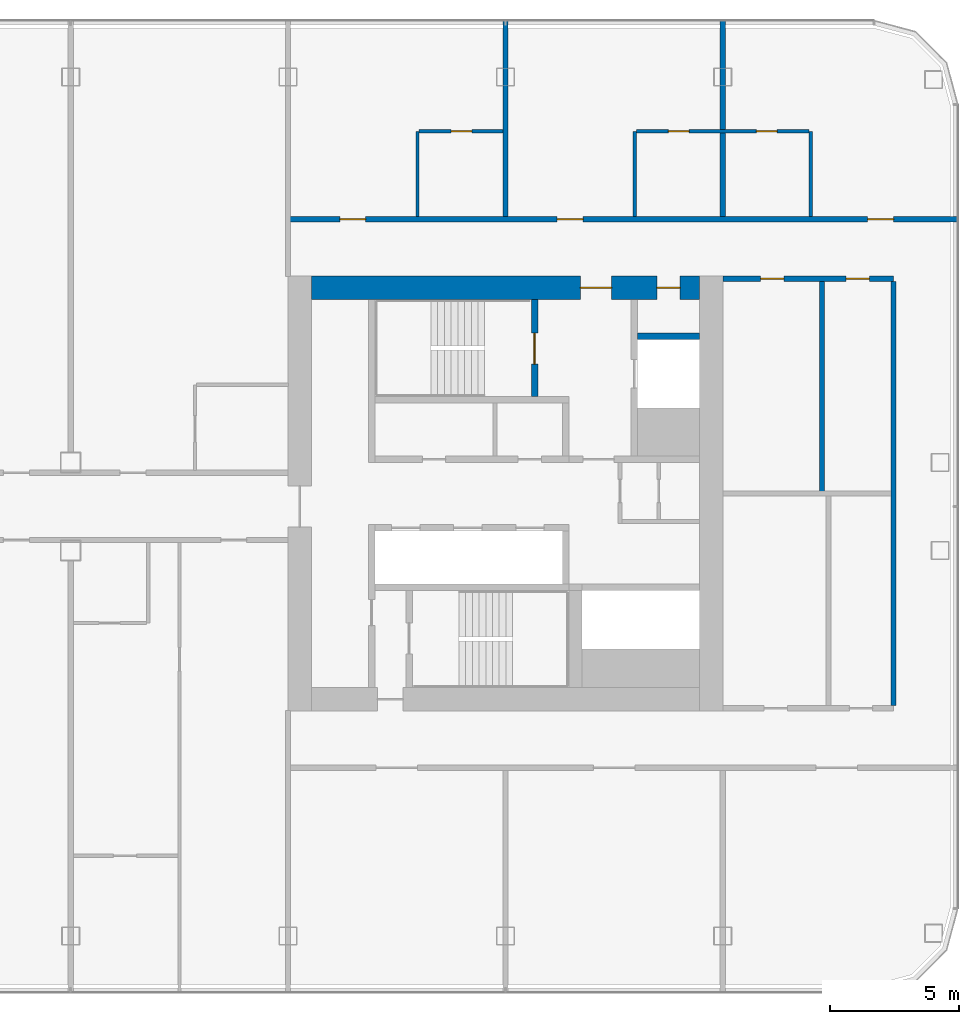
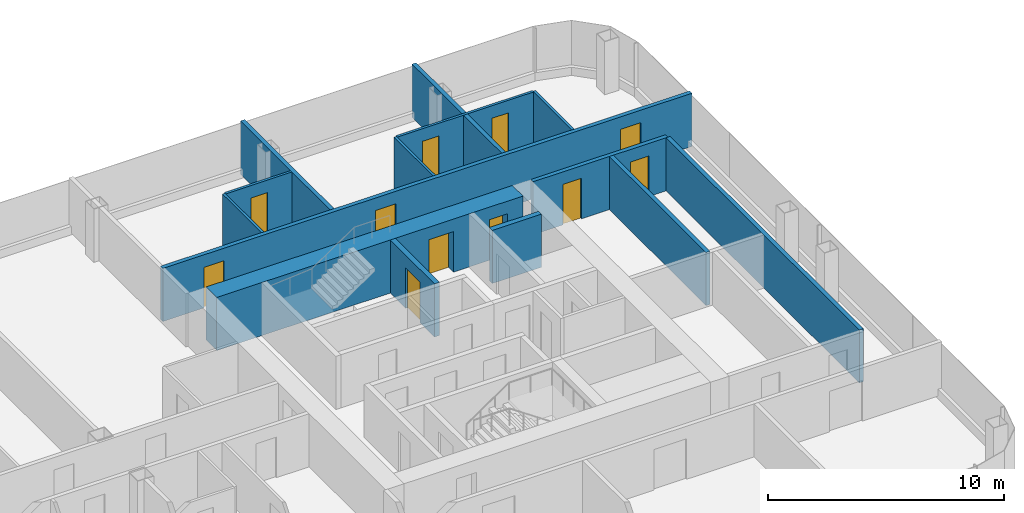
# One storey, part 17 of 26: 14 walls, 11 doors, 11 openings.
"""IFC4 building model written with IfcOpenShell, lengths in metres."""

import ifcopenshell
import ifcopenshell.guid

model = None  # the IFC model being written
_history = None  # IfcOwnerHistory: only IFC2X3 demands one
_inside = {}  # id of a spatial element -> (the spatial element, [elements in it])
_under = {}  # id of a project, library or spatial element -> (it, [spatial elements below it])
_declared = {}  # id of a project -> (the project, [libraries it declares])
_typed = {}  # id of a type object -> (the type object, [elements of that type])
_made_of = {}  # id of a material, layer set ... -> (it, [elements and type objects made of it])


def new_model(schema):
    """Start an empty IFC model of exactly this schema.

    Asked for "IFC4X3", IfcOpenShell would pick the latest addendum, in which some entities
    have other attributes; the version numbers below select the first issue.
    IFC2X3 requires an IfcOwnerHistory on every rooted entity: one is made here for all.
    """
    global model, _history
    if schema == "IFC4X3":
        model = ifcopenshell.file(schema_version=(4, 3, 0, 0))
    else:
        model = ifcopenshell.file(schema=schema)
    _inside.clear()
    _under.clear()
    _declared.clear()
    _typed.clear()
    _made_of.clear()
    _history = None
    if model.schema == "IFC2X3":
        org = make("IfcOrganization", Name="unknown")
        user = make(
            "IfcPersonAndOrganization",
            ThePerson=make("IfcPerson", FamilyName="unknown"),
            TheOrganization=org,
        )
        app = make(
            "IfcApplication",
            ApplicationDeveloper=org,
            Version="unknown",
            ApplicationFullName="unknown",
            ApplicationIdentifier="unknown",
        )
        _history = make(
            "IfcOwnerHistory",
            OwningUser=user,
            OwningApplication=app,
            ChangeAction="ADDED",
            CreationDate=0,
        )
    return model


def make(cls, **values):
    """One entity of the class cls with the attributes given. An attribute that is None is left unset."""
    return model.create_entity(
        cls, **{name: value for name, value in values.items() if value is not None}
    )


def rooted(cls, **values):
    """An entity with a GlobalId (a new one), such as an element, a storey or a relation."""
    return make(cls, GlobalId=ifcopenshell.guid.new(), OwnerHistory=_history, **values)


def si_unit(unit_type, name, prefix=None):
    """IfcSIUnit, for example si_unit("LENGTHUNIT", "METRE", prefix="MILLI")."""
    return make("IfcSIUnit", UnitType=unit_type, Prefix=prefix, Name=name)


def assignment(units):
    """IfcUnitAssignment: the units of a project."""
    return None if units is None else make("IfcUnitAssignment", Units=units)


def point(xyz):
    """IfcCartesianPoint."""
    return None if xyz is None else make("IfcCartesianPoint", Coordinates=xyz)


def direction(xyz):
    """IfcDirection."""
    return None if xyz is None else make("IfcDirection", DirectionRatios=xyz)


def frame(location, z_axis=None, x_axis=None):
    """IfcAxis2Placement3D, a coordinate frame: its origin and axes. An axis left out is left unset."""
    return make(
        "IfcAxis2Placement3D",
        Location=point(location),
        Axis=direction(z_axis),
        RefDirection=direction(x_axis),
    )


def frame_2d(location, x_axis=None):
    """IfcAxis2Placement2D, a coordinate frame in the plane: its origin and x axis."""
    return make(
        "IfcAxis2Placement2D", Location=point(location), RefDirection=direction(x_axis)
    )


def origin():
    """The frame at (0, 0, 0) with its axes left unset."""
    return frame((0.0, 0.0, 0.0))


def place(relative_to, where):
    """IfcLocalPlacement: puts the frame where relative to a parent placement (None: the world)."""
    return make(
        "IfcLocalPlacement", PlacementRelTo=relative_to, RelativePlacement=where
    )


def context(
    kind, dimensions, precision=None, world=None, true_north=None, identifier=None
):
    """IfcGeometricRepresentationContext, for example the 3D "Model" context."""
    return make(
        "IfcGeometricRepresentationContext",
        ContextIdentifier=identifier,
        ContextType=kind,
        CoordinateSpaceDimension=dimensions,
        Precision=precision,
        WorldCoordinateSystem=world,
        TrueNorth=true_north,
    )


def subcontext(parent, identifier, kind, view, scale=None):
    """IfcGeometricRepresentationSubContext, for example "Body" below "Model"."""
    return make(
        "IfcGeometricRepresentationSubContext",
        ContextIdentifier=identifier,
        ContextType=kind,
        ParentContext=parent,
        TargetScale=scale,
        TargetView=view,
    )


def project(units=None, contexts=None):
    """IfcProject with its units and contexts."""
    return rooted(
        "IfcProject",
        Name="project",
        RepresentationContexts=contexts,
        UnitsInContext=assignment(units),
    )


def spatial(cls, under=None, at=None, **own):
    """A site, building, storey or space (cls), placed at a placement, below another one or the project."""
    s = rooted(cls, ObjectPlacement=at, **own)
    if under is not None:
        _under.setdefault(under.id(), (under, []))[1].append(s)
    return s


def profile(cls, at=None, kind="AREA", **sizes):
    """A parametric profile (cls). Its sizes go by their IFC names, for example OverallWidth=200.0."""
    return make(cls, ProfileType=kind, Position=at, **sizes)


def rectangle(**sizes):
    """IfcRectangleProfileDef."""
    return profile("IfcRectangleProfileDef", **sizes)


def extrude(swept, where, along, depth):
    """IfcExtrudedAreaSolid: the profile swept, set in the frame where, extruded along a direction by depth."""
    return make(
        "IfcExtrudedAreaSolid",
        SweptArea=swept,
        Position=where,
        ExtrudedDirection=direction(along),
        Depth=depth,
    )


def shape(context_of_items, identifier, shape_type, items):
    """IfcShapeRepresentation: the items that make up one representation, for example the "Body"."""
    return make(
        "IfcShapeRepresentation",
        ContextOfItems=context_of_items,
        RepresentationIdentifier=identifier,
        RepresentationType=shape_type,
        Items=items,
    )


def material(Name=None, Category=None):
    """IfcMaterial."""
    return make("IfcMaterial", Name=Name, Category=Category)


def layer(
    of_material, thickness, ventilated=None, Name=None, Category=None, Priority=None
):
    """IfcMaterialLayer: one layer of a wall or slab, of a material (None: an air gap)."""
    return make(
        "IfcMaterialLayer",
        Material=of_material,
        LayerThickness=thickness,
        IsVentilated=ventilated,
        Name=Name,
        Category=Category,
        Priority=Priority,
    )


def layer_set(layers, Name=None):
    """IfcMaterialLayerSet."""
    return make("IfcMaterialLayerSet", MaterialLayers=layers, LayerSetName=Name)


def made_of(thing, what):
    """Note that an element or type object is made of a material, layer set ...; save() writes the relation."""
    if what is not None:
        _made_of.setdefault(what.id(), (what, []))[1].append(thing)
    return thing


def type_object(cls, material=None, **own):
    """A type object (cls), such as IfcWallType, which elements share."""
    return made_of(rooted(cls, **own), material)


def element(
    cls,
    number,
    at=None,
    inside=None,
    cuts=None,
    type_object=None,
    material=None,
    context=None,
    identifier="Body",
    shape_type=None,
    held_by="IfcProductDefinitionShape",
    body=None,
    shapes=None,
    **own,
):
    """One element of the class cls, such as IfcWall. Its Tag is "e" and its number.

    at: its placement. inside: the storey or other place that contains it. cuts: it is an
    opening in that element (IfcRelVoidsElement). A single representation is given by context,
    identifier, shape_type and body (its items); several are given by shapes. held_by: the class
    of the entity that holds the representations. save() writes the other relations.
    """
    e = rooted(cls, Tag="e%d" % number, ObjectPlacement=at, **own)
    if body is not None:
        shapes = [shape(context, identifier, shape_type, body)]
    if shapes is not None:
        e.Representation = make(held_by, Representations=shapes)
    if inside is not None:
        _inside.setdefault(inside.id(), (inside, []))[1].append(e)
    if cuts is not None:
        rooted(
            "IfcRelVoidsElement", RelatingBuildingElement=cuts, RelatedOpeningElement=e
        )
    if type_object is not None:
        _typed.setdefault(type_object.id(), (type_object, []))[1].append(e)
    return made_of(e, material)


def fill(opening, filler):
    """IfcRelFillsElement: the door or window that sits in an opening."""
    return rooted(
        "IfcRelFillsElement",
        RelatingOpeningElement=opening,
        RelatedBuildingElement=filler,
    )


def aggregate(whole, parts):
    """IfcRelAggregates: a whole, such as a stair, and the parts it consists of."""
    return rooted("IfcRelAggregates", RelatingObject=whole, RelatedObjects=parts)


def save(model, path):
    """Write the relations noted so far, then the file.

    IfcRelAggregates (storeys below a building ...), IfcRelContainedInSpatialStructure (elements
    in a storey), IfcRelDefinesByType, IfcRelAssociatesMaterial and IfcRelDeclares: one each for
    every whole, place, type object, material and project.
    """
    for whole, parts in _under.values():
        aggregate(whole, parts)
    for where, things in _inside.values():
        rooted(
            "IfcRelContainedInSpatialStructure",
            RelatedElements=things,
            RelatingStructure=where,
        )
    for kind, things in _typed.values():
        rooted("IfcRelDefinesByType", RelatedObjects=things, RelatingType=kind)
    for what, things in _made_of.values():
        rooted("IfcRelAssociatesMaterial", RelatedObjects=things, RelatingMaterial=what)
    for by, libraries in _declared.values():
        rooted("IfcRelDeclares", RelatingContext=by, RelatedDefinitions=libraries)
    model.write(path)


model = new_model("IFC4")

# Units and contexts
model_context = context("Model", 3, precision=1e-05, world=origin(), true_north=direction((0.0, 1.0)))
body_context = subcontext(model_context, "Body", "Model", "MODEL_VIEW")
ifc_project = project(units=[si_unit("LENGTHUNIT", "METRE"), si_unit("AREAUNIT", "SQUARE_METRE"), si_unit("VOLUMEUNIT", "CUBIC_METRE"), si_unit("PLANEANGLEUNIT", "RADIAN"), si_unit("MASSUNIT", "GRAM", prefix="KILO")], contexts=[model_context])

# Site, building, storey
site_placement = place(None, origin())
site = spatial("IfcSite", under=ifc_project, at=site_placement, CompositionType="ELEMENT")
building_placement = place(site_placement, origin())
building = spatial("IfcBuilding", under=site, at=building_placement, Name="Hakoniwa Tower and Hamabe Station Hall", CompositionType="ELEMENT")
storey_placement = place(building_placement, frame((0.0, 0.0, 159.800048828125)))
storey = spatial("IfcBuildingStorey", under=building, at=storey_placement, Name="L45", CompositionType="ELEMENT", Elevation=159.800048828125)

# Wall, opening, door
ifc_material_1 = material(Name="Gypsum board partition", Category="gypsum")
ifc_layer_1 = layer(ifc_material_1, 0.125)
ifc_layer_set_1 = layer_set([ifc_layer_1], Name="Bathroom Partition 125")
wall_type_1 = type_object("IfcWallType", Name="Bathroom Partition 125", PredefinedType="PARTITIONING", material=ifc_layer_set_1)
wall_1_placement = place(storey_placement, frame((21.862548828125, 14.0, 0.0), z_axis=(0.0, 0.0, 1.0), x_axis=(1.0, 0.0, 0.0)))
wall_1 = element("IfcWall", 1, at=wall_1_placement, inside=storey, type_object=wall_type_1, Name="GW-L45-024", PredefinedType="PARTITIONING", context=body_context, shape_type="SweptSolid", body=[
    extrude(rectangle(XDim=3.237548828125, YDim=0.125, at=frame_2d((1.61865234375, 0.0))), origin(), (0.0, 0.0, 1.0), 2.75),
])
opening_1_placement = place(wall_1_placement, frame((1.237548828125, 0.0, 0.0)))
opening_1 = element("IfcOpeningElement", 2, at=opening_1_placement, cuts=wall_1, Name="Opening GD-G3E1-47", PredefinedType="OPENING", context=body_context, shape_type="SweptSolid", body=[
    extrude(rectangle(XDim=0.800048828125, YDim=2.10009765625, at=frame_2d((0.39990234375, 1.050048828125))), frame((0.0, 0.072509765625, 0.0), z_axis=(0.0, -1.0, 0.0), x_axis=(1.0, 0.0, 0.0)), (0.0, 0.0, 1.0), 0.14501953125),
])
ifc_material_2 = material(Name="Timber door leaf", Category="wood")
door_type_1 = type_object("IfcDoorType", Name="Bathroom Door 800", OperationType="SINGLE_SWING_LEFT", PredefinedType="DOOR", material=ifc_material_2)
door_1_placement = place(opening_1_placement, origin())
door_1 = element("IfcDoor", 3, at=door_1_placement, inside=storey, type_object=door_type_1, Name="Door GD-G3E1-47", OperationType="SINGLE_SWING_RIGHT", OverallHeight=2.10009765625, OverallWidth=0.800048828125, PredefinedType="DOOR", context=body_context, shape_type="SweptSolid", body=[
    extrude(rectangle(XDim=0.800048828125, YDim=2.10009765625, at=frame_2d((0.39990234375, 1.050048828125))), frame((0.0, 0.02490234375, 0.0), z_axis=(0.0, -1.0, 0.0), x_axis=(1.0, 0.0, 0.0)), (0.0, 0.0, 1.0), 0.050048828125),
])
fill(opening_1, door_1)

# Wall, openings, doors
wall_2_placement = place(storey_placement, frame((30.262451171875, 14.0, 0.0), z_axis=(0.0, 0.0, 1.0), x_axis=(1.0, 0.0, 0.0)))
wall_2 = element("IfcWall", 4, at=wall_2_placement, inside=storey, type_object=wall_type_1, Name="GW-L45-025", PredefinedType="PARTITIONING", context=body_context, shape_type="SweptSolid", body=[
    extrude(rectangle(XDim=6.675048828125, YDim=0.125, at=frame_2d((3.33740234375, 0.0))), origin(), (0.0, 0.0, 1.0), 2.75),
])
opening_2_placement = place(wall_2_placement, frame((1.237548828125, 0.0, 0.0)))
opening_2 = element("IfcOpeningElement", 5, at=opening_2_placement, cuts=wall_2, Name="Opening GD-G3E1-48", PredefinedType="OPENING", context=body_context, shape_type="SweptSolid", body=[
    extrude(rectangle(XDim=0.800048828125, YDim=2.10009765625, at=frame_2d((0.39990234375, 1.050048828125))), frame((0.0, 0.072509765625, 0.0), z_axis=(0.0, -1.0, 0.0), x_axis=(1.0, 0.0, 0.0)), (0.0, 0.0, 1.0), 0.14501953125),
])
opening_3_placement = place(wall_2_placement, frame((4.637451171875, 0.0, 0.0)))
opening_3 = element("IfcOpeningElement", 6, at=opening_3_placement, cuts=wall_2, Name="Opening GD-G3E1-49", PredefinedType="OPENING", context=body_context, shape_type="SweptSolid", body=[
    extrude(rectangle(XDim=0.800048828125, YDim=2.10009765625, at=frame_2d((0.39990234375, 1.050048828125))), frame((0.0, 0.072509765625, 0.0), z_axis=(0.0, -1.0, 0.0), x_axis=(1.0, 0.0, 0.0)), (0.0, 0.0, 1.0), 0.14501953125),
])
door_2_placement = place(opening_2_placement, origin())
door_2 = element("IfcDoor", 7, at=door_2_placement, inside=storey, type_object=door_type_1, Name="Door GD-G3E1-48", OperationType="SINGLE_SWING_LEFT", OverallHeight=2.10009765625, OverallWidth=0.800048828125, PredefinedType="DOOR", context=body_context, shape_type="SweptSolid", body=[
    extrude(rectangle(XDim=0.800048828125, YDim=2.10009765625, at=frame_2d((0.39990234375, 1.050048828125))), frame((0.0, 0.02490234375, 0.0), z_axis=(0.0, -1.0, 0.0), x_axis=(1.0, 0.0, 0.0)), (0.0, 0.0, 1.0), 0.050048828125),
])
fill(opening_2, door_2)
door_3_placement = place(opening_3_placement, origin())
door_3 = element("IfcDoor", 8, at=door_3_placement, inside=storey, type_object=door_type_1, Name="Door GD-G3E1-49", OperationType="SINGLE_SWING_RIGHT", OverallHeight=2.10009765625, OverallWidth=0.800048828125, PredefinedType="DOOR", context=body_context, shape_type="SweptSolid", body=[
    extrude(rectangle(XDim=0.800048828125, YDim=2.10009765625, at=frame_2d((0.39990234375, 1.050048828125))), frame((0.0, 0.02490234375, 0.0), z_axis=(0.0, -1.0, 0.0), x_axis=(1.0, 0.0, 0.0)), (0.0, 0.0, 1.0), 0.050048828125),
])
fill(opening_3, door_3)

# Walls
for number, where, z_axis, x_axis, name in (
    (9, (21.800048828125, 10.699951171875, 0.0), (0.0, 0.0, 1.0), (0.0, 1.0, 0.0), "GW-L45-062"),
    (10, (30.199951171875, 10.699951171875, 0.0), (0.0, 0.0, 1.0), (0.0, 1.0, 0.0), "GW-L45-065"),
    (11, (37.0, 10.699951171875, 0.0), (0.0, 0.0, 1.0), (0.0, 1.0, 0.0), "GW-L45-068"),
):
    element("IfcWall", number, at=place(storey_placement, frame(where, z_axis=z_axis, x_axis=x_axis)), inside=storey, type_object=wall_type_1, Name=name, PredefinedType="PARTITIONING", context=body_context, shape_type="SweptSolid", body=[
        extrude(rectangle(XDim=3.300048828125, YDim=0.125, at=frame_2d((1.64990234375, 0.0))), origin(), (0.0, 0.0, 1.0), 2.75),
    ])

# Wall, openings, doors
ifc_material_3 = material(Name="Concrete C66", Category="concrete")
ifc_layer_2 = layer(ifc_material_3, 0.89990234375)
ifc_layer_set_2 = layer_set([ifc_layer_2], Name="CORE WALL 900 C66")
wall_type_2 = type_object("IfcWallType", Name="CORE WALL 900 C66", PredefinedType="SHEAR", material=ifc_layer_set_2)
wall_3_placement = place(storey_placement, frame((17.699951171875, 7.949951171875, 0.0), z_axis=(0.0, 0.0, 1.0), x_axis=(1.0, 0.0, 0.0)))
wall_3 = element("IfcWall", 12, at=wall_3_placement, inside=storey, type_object=wall_type_2, Name="Core wall NORTH east", PredefinedType="SHEAR", context=body_context, shape_type="SweptSolid", body=[
    extrude(rectangle(XDim=15.0, YDim=0.89990234375, at=frame_2d((7.5, 0.0))), origin(), (0.0, 0.0, 1.0), 2.75),
])
opening_4_placement = place(wall_3_placement, frame((10.39990234375, 0.0, 0.0)))
opening_4 = element("IfcOpeningElement", 13, at=opening_4_placement, cuts=wall_3, Name="Opening CD-E-FN1-12", PredefinedType="OPENING", context=body_context, shape_type="SweptSolid", body=[
    extrude(rectangle(XDim=1.199951171875, YDim=2.10009765625, at=frame_2d((0.60009765625, 1.050048828125))), frame((0.0, 0.4599609375, 0.0), z_axis=(0.0, -1.0, 0.0), x_axis=(1.0, 0.0, 0.0)), (0.0, 0.0, 1.0), 0.919921875),
])
opening_5_placement = place(wall_3_placement, frame((13.35009765625, 0.0, 0.0)))
opening_5 = element("IfcOpeningElement", 14, at=opening_5_placement, cuts=wall_3, Name="Opening CD-E-FN2-9", PredefinedType="OPENING", context=body_context, shape_type="SweptSolid", body=[
    extrude(rectangle(XDim=0.89990234375, YDim=2.10009765625, at=frame_2d((0.449951171875, 1.050048828125))), frame((0.0, 0.4599609375, 0.0), z_axis=(0.0, -1.0, 0.0), x_axis=(1.0, 0.0, 0.0)), (0.0, 0.0, 1.0), 0.919921875),
])
ifc_material_4 = material(Name="Steel fire door", Category="steel")
door_type_2 = type_object("IfcDoorType", Name="CORE DOOR 1200 FD60", OperationType="DOUBLE_DOOR_SINGLE_SWING", PredefinedType="DOOR", material=ifc_material_4)
door_4_placement = place(opening_4_placement, origin())
door_4 = element("IfcDoor", 15, at=door_4_placement, inside=storey, type_object=door_type_2, Name="Stair vestibule door to the fire-fighting lobby", OperationType="DOUBLE_DOOR_SINGLE_SWING", OverallHeight=2.10009765625, OverallWidth=1.199951171875, PredefinedType="DOOR", context=body_context, shape_type="SweptSolid", body=[
    extrude(rectangle(XDim=1.199951171875, YDim=2.10009765625, at=frame_2d((0.60009765625, 1.050048828125))), frame((0.0, 0.02490234375, 0.0), z_axis=(0.0, -1.0, 0.0), x_axis=(1.0, 0.0, 0.0)), (0.0, 0.0, 1.0), 0.050048828125),
])
fill(opening_4, door_4)
ifc_material_5 = material(Name="Steel fire door", Category="steel")
door_type_3 = type_object("IfcDoorType", Name="CORE DOOR 900 FD30", OperationType="NOTDEFINED", PredefinedType="DOOR", material=ifc_material_5)
door_5_placement = place(opening_5_placement, origin())
door_5 = element("IfcDoor", 16, at=door_5_placement, inside=storey, type_object=door_type_3, Name="Riser access door", OperationType="SINGLE_SWING_RIGHT", OverallHeight=2.10009765625, OverallWidth=0.89990234375, PredefinedType="DOOR", context=body_context, shape_type="SweptSolid", body=[
    extrude(rectangle(XDim=0.89990234375, YDim=2.10009765625, at=frame_2d((0.449951171875, 1.050048828125))), frame((0.0, 0.02490234375, 0.0), z_axis=(0.0, -1.0, 0.0), x_axis=(1.0, 0.0, 0.0)), (0.0, 0.0, 1.0), 0.050048828125),
])
fill(opening_5, door_5)

# Wall, opening, door
ifc_material_6 = material(Name="Concrete C66", Category="concrete")
ifc_layer_3 = layer(ifc_material_6, 0.25)
ifc_layer_set_3 = layer_set([ifc_layer_3], Name="CORE WEB WALL 250 C66")
wall_type_3 = type_object("IfcWallType", Name="CORE WEB WALL 250 C66", PredefinedType="SHEAR", material=ifc_layer_set_3)
wall_4_placement = place(storey_placement, frame((26.324951171875, 3.75, 0.0), z_axis=(0.0, 0.0, 1.0), x_axis=(0.0, 1.0, 0.0)))
wall_4 = element("IfcWall", 17, at=wall_4_placement, inside=storey, type_object=wall_type_3, Name="Core wall NSE east", PredefinedType="SHEAR", context=body_context, shape_type="SweptSolid", body=[
    extrude(rectangle(XDim=3.75, YDim=0.25, at=frame_2d((1.875, 0.0))), origin(), (0.0, 0.0, 1.0), 2.75),
])
opening_6_placement = place(wall_4_placement, frame((1.25, 0.0, 0.0)))
opening_6 = element("IfcOpeningElement", 18, at=opening_6_placement, cuts=wall_4, Name="Opening CD-E-SN-12", PredefinedType="OPENING", context=body_context, shape_type="SweptSolid", body=[
    extrude(rectangle(XDim=1.199951171875, YDim=2.10009765625, at=frame_2d((0.60009765625, 1.050048828125))), frame((0.0, 0.135009765625, 0.0), z_axis=(0.0, -1.0, 0.0), x_axis=(1.0, 0.0, 0.0)), (0.0, 0.0, 1.0), 0.27001953125),
])
door_6_placement = place(opening_6_placement, origin())
door_6 = element("IfcDoor", 19, at=door_6_placement, inside=storey, type_object=door_type_2, Name="Escape stair door", OperationType="DOUBLE_DOOR_SINGLE_SWING", OverallHeight=2.10009765625, OverallWidth=1.199951171875, PredefinedType="DOOR", context=body_context, shape_type="SweptSolid", body=[
    extrude(rectangle(XDim=1.199951171875, YDim=2.10009765625, at=frame_2d((0.60009765625, 1.050048828125))), frame((0.0, 0.02490234375, 0.0), z_axis=(0.0, -1.0, 0.0), x_axis=(1.0, 0.0, 0.0)), (0.0, 0.0, 1.0), 0.050048828125),
])
fill(opening_6, door_6)

# Wall
wall_5_placement = place(storey_placement, frame((30.300048828125, 6.074951171875, 0.0), z_axis=(0.0, 0.0, 1.0), x_axis=(1.0, 0.0, 0.0)))
element("IfcWall", 20, at=wall_5_placement, inside=storey, type_object=wall_type_3, Name="Core wall C2 east", PredefinedType="SHEAR", context=body_context, shape_type="SweptSolid", body=[
    extrude(rectangle(XDim=2.39990234375, YDim=0.25, at=frame_2d((1.199951171875, 0.0))), origin(), (0.0, 0.0, 1.0), 2.75),
])

# Wall, openings, doors
ifc_material_7 = material(Name="Fire-rated gypsum board partition", Category="gypsum")
ifc_layer_4 = layer(ifc_material_7, 0.199951171875)
ifc_layer_set_4 = layer_set([ifc_layer_4], Name="Corridor Wall 200")
wall_type_4 = type_object("IfcWallType", Name="Corridor Wall 200", PredefinedType="PARTITIONING", material=ifc_layer_set_4)
wall_6_placement = place(storey_placement, frame((33.60009765625, 8.300048828125, 0.0), z_axis=(0.0, 0.0, 1.0), x_axis=(1.0, 0.0, 0.0)))
wall_6 = element("IfcWall", 21, at=wall_6_placement, inside=storey, type_object=wall_type_4, Name="GW-L45-019", PredefinedType="PARTITIONING", context=body_context, shape_type="SweptSolid", body=[
    extrude(rectangle(XDim=6.599853515625, YDim=0.199951171875, at=frame_2d((3.2998046875, 0.0))), origin(), (0.0, 0.0, 1.0), 2.75),
])
opening_7_placement = place(wall_6_placement, frame((1.465087890625, 0.0, 0.0)))
opening_7 = element("IfcOpeningElement", 22, at=opening_7_placement, cuts=wall_6, Name="Opening GD-G3E1-34", PredefinedType="OPENING", context=body_context, shape_type="SweptSolid", body=[
    extrude(rectangle(XDim=0.89990234375, YDim=2.10009765625, at=frame_2d((0.449951171875, 1.050048828125))), frame((0.0, 0.10986328125, 0.0), z_axis=(0.0, -1.0, 0.0), x_axis=(1.0, 0.0, 0.0)), (0.0, 0.0, 1.0), 0.219970703125),
])
opening_8_placement = place(wall_6_placement, frame((4.764892578125, 0.0, 0.0)))
opening_8 = element("IfcOpeningElement", 23, at=opening_8_placement, cuts=wall_6, Name="Opening GD-G3E1-35", PredefinedType="OPENING", context=body_context, shape_type="SweptSolid", body=[
    extrude(rectangle(XDim=0.89990234375, YDim=2.10009765625, at=frame_2d((0.449951171875, 1.050048828125))), frame((0.0, 0.10986328125, 0.0), z_axis=(0.0, -1.0, 0.0), x_axis=(1.0, 0.0, 0.0)), (0.0, 0.0, 1.0), 0.219970703125),
])
ifc_material_8 = material(Name="Timber door leaf", Category="wood")
door_type_4 = type_object("IfcDoorType", Name="Service Door 900", OperationType="SINGLE_SWING_LEFT", PredefinedType="DOOR", material=ifc_material_8)
door_7_placement = place(opening_7_placement, origin())
door_7 = element("IfcDoor", 24, at=door_7_placement, inside=storey, type_object=door_type_4, Name="Door GD-G3E1-34", OperationType="SINGLE_SWING_RIGHT", OverallHeight=2.10009765625, OverallWidth=0.89990234375, PredefinedType="DOOR", context=body_context, shape_type="SweptSolid", body=[
    extrude(rectangle(XDim=0.89990234375, YDim=2.10009765625, at=frame_2d((0.449951171875, 1.050048828125))), frame((0.0, 0.02490234375, 0.0), z_axis=(0.0, -1.0, 0.0), x_axis=(1.0, 0.0, 0.0)), (0.0, 0.0, 1.0), 0.050048828125),
])
fill(opening_7, door_7)
door_8_placement = place(opening_8_placement, origin())
door_8 = element("IfcDoor", 25, at=door_8_placement, inside=storey, type_object=door_type_4, Name="Door GD-G3E1-35", OperationType="SINGLE_SWING_LEFT", OverallHeight=2.10009765625, OverallWidth=0.89990234375, PredefinedType="DOOR", context=body_context, shape_type="SweptSolid", body=[
    extrude(rectangle(XDim=0.89990234375, YDim=2.10009765625, at=frame_2d((0.449951171875, 1.050048828125))), frame((0.0, 0.02490234375, 0.0), z_axis=(0.0, -1.0, 0.0), x_axis=(1.0, 0.0, 0.0)), (0.0, 0.0, 1.0), 0.050048828125),
])
fill(opening_8, door_8)

wall_7_placement = place(storey_placement, frame((16.800048828125, 10.60009765625, 0.0), z_axis=(0.0, 0.0, 1.0), x_axis=(1.0, 0.0, 0.0)))
wall_7 = element("IfcWall", 26, at=wall_7_placement, inside=storey, type_object=wall_type_4, Name="GW-L45-021", PredefinedType="PARTITIONING", context=body_context, shape_type="SweptSolid", body=[
    extrude(rectangle(XDim=25.89990234375, YDim=0.199951171875, at=frame_2d((12.949951171875, 0.0))), origin(), (0.0, 0.0, 1.0), 2.75),
])
opening_9_placement = place(wall_7_placement, frame((2.0, 0.0, 0.0)))
opening_9 = element("IfcOpeningElement", 27, at=opening_9_placement, cuts=wall_7, Name="Opening GD-G3E1-41", PredefinedType="OPENING", context=body_context, shape_type="SweptSolid", body=[
    extrude(rectangle(XDim=1.0, YDim=2.10009765625, at=frame_2d((0.5, 1.050048828125))), frame((0.0, 0.10986328125, 0.0), z_axis=(0.0, -1.0, 0.0), x_axis=(1.0, 0.0, 0.0)), (0.0, 0.0, 1.0), 0.219970703125),
])
opening_10_placement = place(wall_7_placement, frame((10.39990234375, 0.0, 0.0)))
opening_10 = element("IfcOpeningElement", 28, at=opening_10_placement, cuts=wall_7, Name="Opening GD-G3E1-42", PredefinedType="OPENING", context=body_context, shape_type="SweptSolid", body=[
    extrude(rectangle(XDim=1.0, YDim=2.10009765625, at=frame_2d((0.5, 1.050048828125))), frame((0.0, 0.10986328125, 0.0), z_axis=(0.0, -1.0, 0.0), x_axis=(1.0, 0.0, 0.0)), (0.0, 0.0, 1.0), 0.219970703125),
])
opening_11_placement = place(wall_7_placement, frame((22.39990234375, 0.0, 0.0)))
opening_11 = element("IfcOpeningElement", 29, at=opening_11_placement, cuts=wall_7, Name="Opening GD-G3E1-43", PredefinedType="OPENING", context=body_context, shape_type="SweptSolid", body=[
    extrude(rectangle(XDim=1.0, YDim=2.10009765625, at=frame_2d((0.5, 1.050048828125))), frame((0.0, 0.10986328125, 0.0), z_axis=(0.0, -1.0, 0.0), x_axis=(1.0, 0.0, 0.0)), (0.0, 0.0, 1.0), 0.219970703125),
])
ifc_material_9 = material(Name="Timber door leaf", Category="wood")
door_type_5 = type_object("IfcDoorType", Name="Guest Entrance Door 1000", OperationType="SINGLE_SWING_LEFT", PredefinedType="DOOR", material=ifc_material_9)
door_9_placement = place(opening_9_placement, origin())
door_9 = element("IfcDoor", 30, at=door_9_placement, inside=storey, type_object=door_type_5, Name="Door GD-G3E1-41", OperationType="SINGLE_SWING_LEFT", OverallHeight=2.10009765625, OverallWidth=1.0, PredefinedType="DOOR", context=body_context, shape_type="SweptSolid", body=[
    extrude(rectangle(XDim=1.0, YDim=2.10009765625, at=frame_2d((0.5, 1.050048828125))), frame((0.0, 0.02490234375, 0.0), z_axis=(0.0, -1.0, 0.0), x_axis=(1.0, 0.0, 0.0)), (0.0, 0.0, 1.0), 0.050048828125),
])
fill(opening_9, door_9)
door_10_placement = place(opening_10_placement, origin())
door_10 = element("IfcDoor", 31, at=door_10_placement, inside=storey, type_object=door_type_5, Name="Door GD-G3E1-42", OperationType="SINGLE_SWING_RIGHT", OverallHeight=2.10009765625, OverallWidth=1.0, PredefinedType="DOOR", context=body_context, shape_type="SweptSolid", body=[
    extrude(rectangle(XDim=1.0, YDim=2.10009765625, at=frame_2d((0.5, 1.050048828125))), frame((0.0, 0.02490234375, 0.0), z_axis=(0.0, -1.0, 0.0), x_axis=(1.0, 0.0, 0.0)), (0.0, 0.0, 1.0), 0.050048828125),
])
fill(opening_10, door_10)
door_11_placement = place(opening_11_placement, origin())
door_11 = element("IfcDoor", 32, at=door_11_placement, inside=storey, type_object=door_type_5, Name="Door GD-G3E1-43", OperationType="SINGLE_SWING_LEFT", OverallHeight=2.10009765625, OverallWidth=1.0, PredefinedType="DOOR", context=body_context, shape_type="SweptSolid", body=[
    extrude(rectangle(XDim=1.0, YDim=2.10009765625, at=frame_2d((0.5, 1.050048828125))), frame((0.0, 0.02490234375, 0.0), z_axis=(0.0, -1.0, 0.0), x_axis=(1.0, 0.0, 0.0)), (0.0, 0.0, 1.0), 0.050048828125),
])
fill(opening_11, door_11)

# Walls
ifc_material_10 = material(Name="Fire-rated gypsum board partition", Category="gypsum")
ifc_layer_5 = layer(ifc_material_10, 0.199951171875)
ifc_layer_set_5 = layer_set([ifc_layer_5], Name="Party Wall 200")
wall_type_5 = type_object("IfcWallType", Name="Party Wall 200", PredefinedType="PARTITIONING", material=ifc_layer_set_5)
for number, where, z_axis, x_axis, name in (
    (33, (25.199951171875, 10.699951171875, 0.0), (0.0, 0.0, 1.0), (0.0, 1.0, 0.0), "GW-L45-064"),
    (34, (33.60009765625, 10.699951171875, 0.0), (0.0, 0.0, 1.0), (0.0, 1.0, 0.0), "GW-L45-067"),
):
    element("IfcWall", number, at=place(storey_placement, frame(where, z_axis=z_axis, x_axis=x_axis)), inside=storey, type_object=wall_type_5, Name=name, PredefinedType="PARTITIONING", context=body_context, shape_type="SweptSolid", body=[
        extrude(rectangle(XDim=7.60009765625, YDim=0.199951171875, at=frame_2d((3.800048828125, 0.0))), origin(), (0.0, 0.0, 1.0), 2.75),
    ])
wall_8_placement = place(storey_placement, frame((37.429931640625, 0.0, 0.0), z_axis=(0.0, 0.0, 1.0), x_axis=(0.0, 1.0, 0.0)))
element("IfcWall", 35, at=wall_8_placement, inside=storey, type_object=wall_type_5, Name="GW-L45-069", PredefinedType="PARTITIONING", context=body_context, shape_type="SweptSolid", body=[
    extrude(rectangle(XDim=8.199951171875, YDim=0.199951171875, at=frame_2d((4.10009765625, 0.0))), origin(), (0.0, 0.0, 1.0), 2.75),
])
wall_9_placement = place(storey_placement, frame((40.199951171875, -8.199951171875, 0.0), z_axis=(0.0, 0.0, 1.0), x_axis=(0.0, 1.0, 0.0)))
element("IfcWall", 36, at=wall_9_placement, inside=storey, type_object=wall_type_5, Name="GW-L45-071", PredefinedType="PARTITIONING", context=body_context, shape_type="SweptSolid", body=[
    extrude(rectangle(XDim=16.39990234375, YDim=0.199951171875, at=frame_2d((8.199951171875, 0.0))), origin(), (0.0, 0.0, 1.0), 2.75),
])

save(model, "model.ifc")
